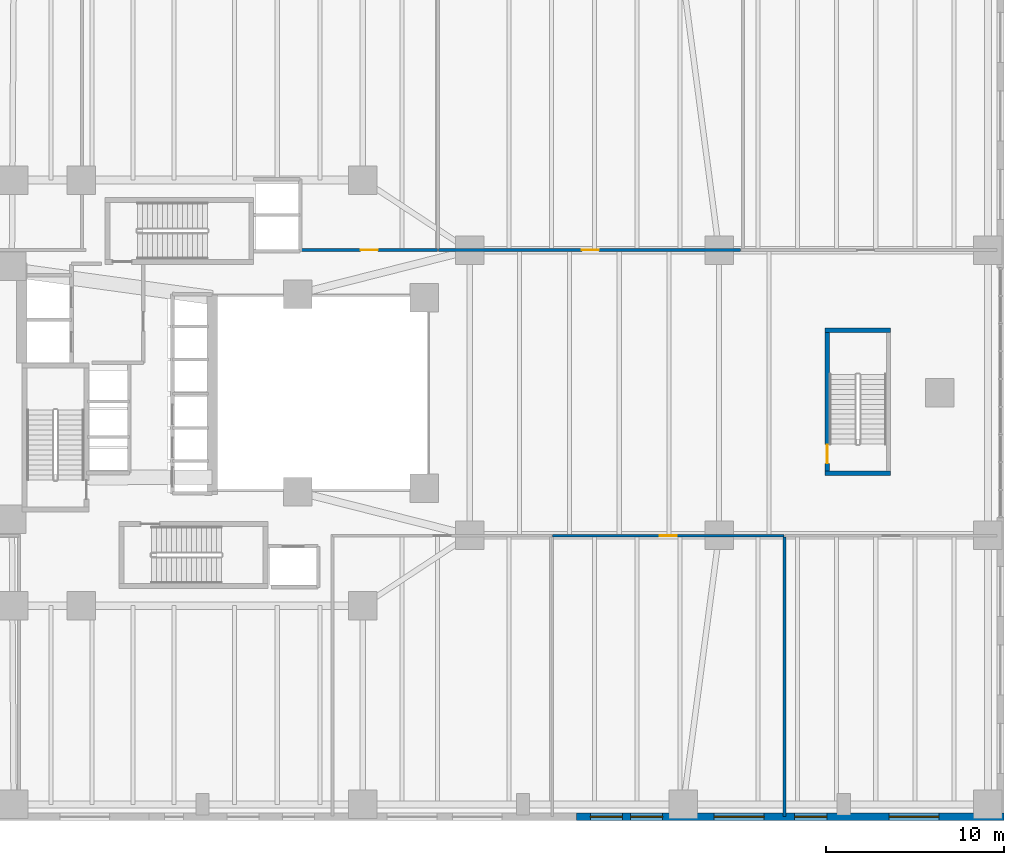
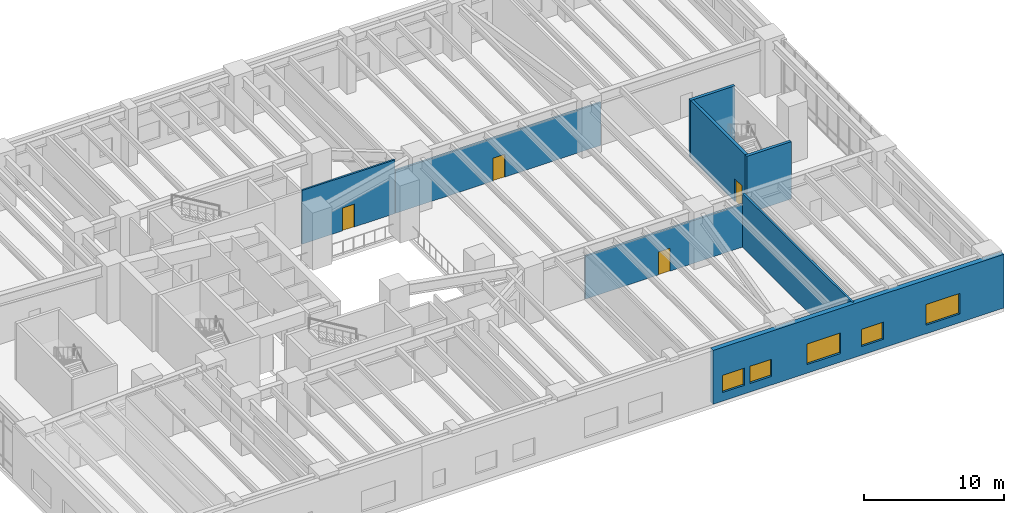
# One storey, part 14 of 18: 8 walls, 5 windows, 4 doors, 9 openings.
"""IFC4 building model written with IfcOpenShell, lengths in metres."""

from ifc_helpers import new_model, si_unit, direction, frame, frame_2d, origin, place, context, subcontext, project, spatial, rectangle, extrude, material, layer, layer_set, type_object, element, fill, save


model = new_model("IFC4")

# Units and contexts
model_context = context("Model", 3, precision=1e-05, world=origin(), true_north=direction((0.0, 1.0)))
body_context = subcontext(model_context, "Body", "Model", "MODEL_VIEW")
ifc_project = project(units=[si_unit("LENGTHUNIT", "METRE"), si_unit("AREAUNIT", "SQUARE_METRE"), si_unit("VOLUMEUNIT", "CUBIC_METRE"), si_unit("PLANEANGLEUNIT", "RADIAN"), si_unit("MASSUNIT", "GRAM", prefix="KILO"), si_unit("THERMODYNAMICTEMPERATUREUNIT", "KELVIN"), si_unit("POWERUNIT", "WATT")], contexts=[model_context])

# Site, building, storey
site_placement = place(None, origin())
site = spatial("IfcSite", under=ifc_project, at=site_placement, CompositionType="ELEMENT")
building_placement = place(site_placement, origin())
building = spatial("IfcBuilding", under=site, at=building_placement, Name="Skarre Station Tower", CompositionType="ELEMENT")
storey_placement = place(building_placement, frame((0.0, 0.0, 11.0)))
storey = spatial("IfcBuildingStorey", under=building, at=storey_placement, Name="L03", CompositionType="ELEMENT", Elevation=11.0)

# Wall, opening, door
ifc_material_1 = material(Name="Acoustic Steel-Stud Gypsum Partition", Category="steel")
ifc_layer_1 = layer(ifc_material_1, 0.14990234375, Name="Acoustic Steel-Stud Gypsum Partition")
ifc_layer_set_1 = layer_set([ifc_layer_1], Name="Acoustic Steel-Stud Gypsum Partition")
wall_type_1 = type_object("IfcWallType", Name="Fire-Rated Corridor Acoustic Partition 150", PredefinedType="PARTITIONING", material=ifc_layer_set_1)
wall_1_placement = place(storey_placement, frame((46.6640625, 15.97998046875, 0.0), z_axis=(0.0, 0.0, 1.0), x_axis=(1.0, 0.0, 0.0)))
wall_1 = element("IfcWall", 1, at=wall_1_placement, inside=storey, type_object=wall_type_1, Name="L03 Interior Partition WL-PT-L03-PDSE2-CW", PredefinedType="PARTITIONING", context=body_context, shape_type="SweptSolid", body=[
    extrude(rectangle(XDim=12.988037109375, YDim=0.14990234375, at=frame_2d((6.494140625, 0.0))), origin(), (0.0, 0.0, 1.0), 3.741943359375),
])
opening_1_placement = place(wall_1_placement, frame((6.013916015625, 0.0, 0.0)))
opening_1 = element("IfcOpeningElement", 2, at=opening_1_placement, cuts=wall_1, Name="Opening DR-FD60", PredefinedType="OPENING", context=body_context, shape_type="SweptSolid", body=[
    extrude(rectangle(XDim=0.9599609375, YDim=2.0, at=frame_2d((0.47998046875, 1.0))), frame((0.0, 0.0849609375, 0.0), z_axis=(0.0, -1.0, 0.0), x_axis=(1.0, 0.0, 0.0)), (0.0, 0.0, 1.0), 0.169921875),
])
ifc_material_2 = material(Name="Nordic White-Oak Veneer Solid-Core Fire Leaf", Category="wood")
door_type_1 = type_object("IfcDoorType", Name="Corridor Suite Entry Fire Door FD60 960x2150", OperationType="SINGLE_SWING_LEFT", PredefinedType="DOOR", material=ifc_material_2)
door_1_placement = place(opening_1_placement, origin())
door_1 = element("IfcDoor", 3, at=door_1_placement, inside=storey, type_object=door_type_1, Name="L03 PDSE2 Entry Door", OperationType="SINGLE_SWING_LEFT", OverallHeight=2.0, OverallWidth=0.9599609375, PredefinedType="DOOR", context=body_context, shape_type="SweptSolid", body=[
    extrude(rectangle(XDim=0.9599609375, YDim=2.0, at=frame_2d((0.47998046875, 1.0))), frame((0.0, 0.02490234375, 0.0), z_axis=(0.0, -1.0, 0.0), x_axis=(1.0, 0.0, 0.0)), (0.0, 0.0, 1.0), 0.050048828125),
])
fill(opening_1, door_1)

wall_2_placement = place(storey_placement, frame((40.18701171875, 32.02001953125, 0.0), z_axis=(0.0, 0.0, 1.0), x_axis=(-1.0, 0.0, 0.0)))
wall_2 = element("IfcWall", 4, at=wall_2_placement, inside=storey, type_object=wall_type_1, Name="L03 Interior Partition WL-PT-L03-PDN2-CW", PredefinedType="PARTITIONING", context=body_context, shape_type="SweptSolid", body=[
    extrude(rectangle(XDim=7.64599609375, YDim=0.14990234375, at=frame_2d((3.822998046875, 0.0))), origin(), (0.0, 0.0, 1.0), 4.68994140625),
])
opening_2_placement = place(wall_2_placement, frame((3.343017578125, 0.0, 0.0)))
opening_2 = element("IfcOpeningElement", 5, at=opening_2_placement, cuts=wall_2, Name="Opening DR-FD60", PredefinedType="OPENING", context=body_context, shape_type="SweptSolid", body=[
    extrude(rectangle(XDim=0.9599609375, YDim=2.0, at=frame_2d((0.47998046875, 1.0))), frame((0.0, 0.0849609375, 0.0), z_axis=(0.0, -1.0, 0.0), x_axis=(1.0, 0.0, 0.0)), (0.0, 0.0, 1.0), 0.169921875),
])
door_2_placement = place(opening_2_placement, origin())
door_2 = element("IfcDoor", 6, at=door_2_placement, inside=storey, type_object=door_type_1, Name="L03 PDN2 Entry Door", OperationType="SINGLE_SWING_LEFT", OverallHeight=2.0, OverallWidth=0.9599609375, PredefinedType="DOOR", context=body_context, shape_type="SweptSolid", body=[
    extrude(rectangle(XDim=0.9599609375, YDim=2.0, at=frame_2d((0.47998046875, 1.0))), frame((0.0, 0.02490234375, 0.0), z_axis=(0.0, -1.0, 0.0), x_axis=(1.0, 0.0, 0.0)), (0.0, 0.0, 1.0), 0.050048828125),
])
fill(opening_2, door_2)

wall_3_placement = place(storey_placement, frame((57.214111328125, 32.02001953125, 0.0), z_axis=(0.0, 0.0, 1.0), x_axis=(-1.0, 0.0, 0.0)))
wall_3 = element("IfcWall", 7, at=wall_3_placement, inside=storey, type_object=wall_type_1, Name="L03 Interior Partition WL-PT-L03-PDN3-CW", PredefinedType="PARTITIONING", context=body_context, shape_type="SweptSolid", body=[
    extrude(rectangle(XDim=16.97509765625, YDim=0.14990234375, at=frame_2d((8.487548828125, 0.0))), origin(), (0.0, 0.0, 1.0), 3.741943359375),
])
opening_3_placement = place(wall_3_placement, frame((7.9560546875, 0.0, 0.0)))
opening_3 = element("IfcOpeningElement", 8, at=opening_3_placement, cuts=wall_3, Name="Opening DR-FD60", PredefinedType="OPENING", context=body_context, shape_type="SweptSolid", body=[
    extrude(rectangle(XDim=0.9599609375, YDim=2.0, at=frame_2d((0.47998046875, 1.0))), frame((0.0, 0.0849609375, 0.0), z_axis=(0.0, -1.0, 0.0), x_axis=(1.0, 0.0, 0.0)), (0.0, 0.0, 1.0), 0.169921875),
])
door_3_placement = place(opening_3_placement, origin())
door_3 = element("IfcDoor", 9, at=door_3_placement, inside=storey, type_object=door_type_1, Name="L03 PDN3 Entry Door", OperationType="SINGLE_SWING_LEFT", OverallHeight=2.0, OverallWidth=0.9599609375, PredefinedType="DOOR", context=body_context, shape_type="SweptSolid", body=[
    extrude(rectangle(XDim=0.9599609375, YDim=2.0, at=frame_2d((0.47998046875, 1.0))), frame((0.0, 0.02490234375, 0.0), z_axis=(0.0, -1.0, 0.0), x_axis=(1.0, 0.0, 0.0)), (0.0, 0.0, 1.0), 0.050048828125),
])
fill(opening_3, door_3)

# Wall, openings, windows
ifc_material_3 = material(Name="Precast concrete C45/55", Category="concrete")
ifc_layer_2 = layer(ifc_material_3, 0.39990234375, Name="Precast concrete C45/55")
ifc_layer_set_2 = layer_set([ifc_layer_2], Name="Precast concrete C45/55")
wall_type_2 = type_object("IfcWallType", Name="Nordic Granite Station Podium Wall 400", PredefinedType="STANDARD", material=ifc_layer_set_2)
wall_4_placement = place(storey_placement, frame((72.0, 0.199951171875, 0.0), z_axis=(0.0, 0.0, 1.0), x_axis=(-1.0, 0.0, 0.0)))
wall_4 = element("IfcWall", 10, at=wall_4_placement, inside=storey, type_object=wall_type_2, Name="L03 South Podium Granite Wall SA", PredefinedType="STANDARD", context=body_context, shape_type="SweptSolid", body=[
    extrude(rectangle(XDim=24.0, YDim=0.39990234375, at=frame_2d((12.0, 0.0))), origin(), (0.0, 0.0, 1.0), 4.68994140625),
])
opening_4_placement = place(wall_4_placement, frame((3.64990234375, 0.0, 0.75)))
opening_4 = element("IfcOpeningElement", 11, at=opening_4_placement, cuts=wall_4, Name="Opening WN-POD", PredefinedType="OPENING", context=body_context, shape_type="SweptSolid", body=[
    extrude(rectangle(XDim=2.800048828125, YDim=1.800048828125, at=frame_2d((1.39990234375, 0.89990234375))), frame((0.0, 0.2099609375, 0.0), z_axis=(0.0, -1.0, 0.0), x_axis=(1.0, 0.0, 0.0)), (0.0, 0.0, 1.0), 0.419921875),
])
opening_5_placement = place(wall_4_placement, frame((9.949951171875, 0.0, 0.75)))
opening_5 = element("IfcOpeningElement", 12, at=opening_5_placement, cuts=wall_4, Name="Opening WN-Z1A", PredefinedType="OPENING", context=body_context, shape_type="SweptSolid", body=[
    extrude(rectangle(XDim=1.800048828125, YDim=1.5, at=frame_2d((0.89990234375, 0.75))), frame((0.0, 0.2099609375, 0.0), z_axis=(0.0, -1.0, 0.0), x_axis=(1.0, 0.0, 0.0)), (0.0, 0.0, 1.0), 0.419921875),
])
opening_6_placement = place(wall_4_placement, frame((13.471923828125, 0.0, 0.75)))
opening_6 = element("IfcOpeningElement", 13, at=opening_6_placement, cuts=wall_4, Name="Opening WN-POD", PredefinedType="OPENING", context=body_context, shape_type="SweptSolid", body=[
    extrude(rectangle(XDim=2.800048828125, YDim=1.800048828125, at=frame_2d((1.39990234375, 0.89990234375))), frame((0.0, 0.2099609375, 0.0), z_axis=(0.0, -1.0, 0.0), x_axis=(1.0, 0.0, 0.0)), (0.0, 0.0, 1.0), 0.419921875),
])
opening_7_placement = place(wall_4_placement, frame((19.16796875, 0.0, 0.75)))
opening_7 = element("IfcOpeningElement", 14, at=opening_7_placement, cuts=wall_4, Name="Opening WN-Z1A", PredefinedType="OPENING", context=body_context, shape_type="SweptSolid", body=[
    extrude(rectangle(XDim=1.800048828125, YDim=1.5, at=frame_2d((0.89990234375, 0.75))), frame((0.0, 0.2099609375, 0.0), z_axis=(0.0, -1.0, 0.0), x_axis=(1.0, 0.0, 0.0)), (0.0, 0.0, 1.0), 0.419921875),
])
opening_8_placement = place(wall_4_placement, frame((21.422119140625, 0.0, 0.75)))
opening_8 = element("IfcOpeningElement", 15, at=opening_8_placement, cuts=wall_4, Name="Opening WN-Z1A", PredefinedType="OPENING", context=body_context, shape_type="SweptSolid", body=[
    extrude(rectangle(XDim=1.800048828125, YDim=1.5, at=frame_2d((0.89990234375, 0.75))), frame((0.0, 0.2099609375, 0.0), z_axis=(0.0, -1.0, 0.0), x_axis=(1.0, 0.0, 0.0)), (0.0, 0.0, 1.0), 0.419921875),
])
ifc_material_4 = material(Name="Low-Iron Triple Glazing with Bronze Anodized Frame", Category="glass")
window_type_1 = type_object("IfcWindowType", Name="Nordic Punched Triple-Glazed Window 1800x1500", PartitioningType="SINGLE_PANEL", PredefinedType="WINDOW", material=ifc_material_4)
window_1_placement = place(opening_5_placement, origin())
window_1 = element("IfcWindow", 16, at=window_1_placement, inside=storey, type_object=window_type_1, Name="L03 Facade Window WL-POD-L03-SA-2", OverallHeight=1.5, OverallWidth=1.800048828125, PartitioningType="SINGLE_PANEL", PredefinedType="WINDOW", context=body_context, shape_type="SweptSolid", body=[
    extrude(rectangle(XDim=1.800048828125, YDim=1.5, at=frame_2d((0.89990234375, 0.75))), frame((0.0, 0.030029296875, 0.0), z_axis=(0.0, -1.0, 0.0), x_axis=(1.0, 0.0, 0.0)), (0.0, 0.0, 1.0), 0.06005859375),
])
fill(opening_5, window_1)
window_2_placement = place(opening_7_placement, origin())
window_2 = element("IfcWindow", 17, at=window_2_placement, inside=storey, type_object=window_type_1, Name="L03 Facade Window WL-POD-L03-SA-4", OverallHeight=1.5, OverallWidth=1.800048828125, PartitioningType="SINGLE_PANEL", PredefinedType="WINDOW", context=body_context, shape_type="SweptSolid", body=[
    extrude(rectangle(XDim=1.800048828125, YDim=1.5, at=frame_2d((0.89990234375, 0.75))), frame((0.0, 0.030029296875, 0.0), z_axis=(0.0, -1.0, 0.0), x_axis=(1.0, 0.0, 0.0)), (0.0, 0.0, 1.0), 0.06005859375),
])
fill(opening_7, window_2)
window_3_placement = place(opening_8_placement, origin())
window_3 = element("IfcWindow", 18, at=window_3_placement, inside=storey, type_object=window_type_1, Name="L03 Facade Window WL-POD-L03-SA-5", OverallHeight=1.5, OverallWidth=1.800048828125, PartitioningType="SINGLE_PANEL", PredefinedType="WINDOW", context=body_context, shape_type="SweptSolid", body=[
    extrude(rectangle(XDim=1.800048828125, YDim=1.5, at=frame_2d((0.89990234375, 0.75))), frame((0.0, 0.030029296875, 0.0), z_axis=(0.0, -1.0, 0.0), x_axis=(1.0, 0.0, 0.0)), (0.0, 0.0, 1.0), 0.06005859375),
])
fill(opening_8, window_3)
window_type_2 = type_object("IfcWindowType", Name="Podium Clerestory Ribbon Window 2800x1800", PartitioningType="SINGLE_PANEL", PredefinedType="WINDOW", material=ifc_material_4)
window_4_placement = place(opening_4_placement, origin())
window_4 = element("IfcWindow", 19, at=window_4_placement, inside=storey, type_object=window_type_2, Name="L03 Facade Window WL-POD-L03-SA-1", OverallHeight=1.800048828125, OverallWidth=2.800048828125, PartitioningType="SINGLE_PANEL", PredefinedType="WINDOW", context=body_context, shape_type="SweptSolid", body=[
    extrude(rectangle(XDim=2.800048828125, YDim=1.800048828125, at=frame_2d((1.39990234375, 0.89990234375))), frame((0.0, 0.030029296875, 0.0), z_axis=(0.0, -1.0, 0.0), x_axis=(1.0, 0.0, 0.0)), (0.0, 0.0, 1.0), 0.06005859375),
])
fill(opening_4, window_4)
window_5_placement = place(opening_6_placement, origin())
window_5 = element("IfcWindow", 20, at=window_5_placement, inside=storey, type_object=window_type_2, Name="L03 Facade Window WL-POD-L03-SA-3", OverallHeight=1.800048828125, OverallWidth=2.800048828125, PartitioningType="SINGLE_PANEL", PredefinedType="WINDOW", context=body_context, shape_type="SweptSolid", body=[
    extrude(rectangle(XDim=2.800048828125, YDim=1.800048828125, at=frame_2d((1.39990234375, 0.89990234375))), frame((0.0, 0.030029296875, 0.0), z_axis=(0.0, -1.0, 0.0), x_axis=(1.0, 0.0, 0.0)), (0.0, 0.0, 1.0), 0.06005859375),
])
fill(opening_6, window_5)

# Walls
ifc_material_5 = material(Name="Concrete C50/60", Category="concrete")
ifc_layer_3 = layer(ifc_material_5, 0.239990234375, Name="Concrete C50/60")
ifc_layer_set_3 = layer_set([ifc_layer_3], Name="Concrete C50/60")
wall_type_3 = type_object("IfcWallType", Name="RC Core Shear Wall 240", PredefinedType="SHEAR", material=ifc_layer_set_3)
for number, where, z_axis, x_axis, name in (
    (21, (61.9599609375, 19.47998046875, 0.0), (0.0, 0.0, 1.0), (1.0, 0.0, 0.0), "L03 Podium Stair ST-5 South Shear Wall"),
    (22, (65.639892578125, 27.52001953125, 0.0), (0.0, 0.0, 1.0), (-1.0, 0.0, 0.0), "L03 Podium Stair ST-5 North Shear Wall"),
):
    element("IfcWall", number, at=place(storey_placement, frame(where, z_axis=z_axis, x_axis=x_axis)), inside=storey, type_object=wall_type_3, Name=name, PredefinedType="SHEAR", context=body_context, shape_type="SweptSolid", body=[
        extrude(rectangle(XDim=3.679931640625, YDim=0.239990234375, at=frame_2d((1.83984375, 0.0))), origin(), (0.0, 0.0, 1.0), 5.0),
    ])

# Wall, opening, door
wall_5_placement = place(storey_placement, frame((62.080078125, 27.39990234375, 0.0), z_axis=(0.0, 0.0, 1.0), x_axis=(0.0, -1.0, 0.0)))
wall_5 = element("IfcWall", 23, at=wall_5_placement, inside=storey, type_object=wall_type_3, Name="L03 Podium Stair ST-5 West Shear Wall", PredefinedType="SHEAR", context=body_context, shape_type="SweptSolid", body=[
    extrude(rectangle(XDim=7.7998046875, YDim=0.239990234375, at=frame_2d((3.89990234375, 0.0))), origin(), (0.0, 0.0, 1.0), 5.0),
])
opening_9_placement = place(wall_5_placement, frame((6.31005859375, 0.0, 0.0)))
opening_9 = element("IfcOpeningElement", 24, at=opening_9_placement, cuts=wall_5, Name="Opening DR-FD90", PredefinedType="OPENING", context=body_context, shape_type="SweptSolid", body=[
    extrude(rectangle(XDim=1.050048828125, YDim=2.0, at=frame_2d((0.52490234375, 1.0))), frame((0.0, 0.1298828125, 0.0), z_axis=(0.0, -1.0, 0.0), x_axis=(1.0, 0.0, 0.0)), (0.0, 0.0, 1.0), 0.260009765625),
])
ifc_material_6 = material(Name="Fire-Rated Insulated Steel Frame & Timber Core Leaf", Category="steel")
door_type_2 = type_object("IfcDoorType", Name="Stair & FSAE Lobby Fire Door FD90 1050x2150", OperationType="SINGLE_SWING_RIGHT", PredefinedType="DOOR", material=ifc_material_6)
door_4_placement = place(opening_9_placement, origin())
door_4 = element("IfcDoor", 25, at=door_4_placement, inside=storey, type_object=door_type_2, Name="L03 Podium Stair ST-5 Exit Door", OperationType="SINGLE_SWING_LEFT", OverallHeight=2.0, OverallWidth=1.050048828125, PredefinedType="DOOR", context=body_context, shape_type="SweptSolid", body=[
    extrude(rectangle(XDim=1.050048828125, YDim=2.0, at=frame_2d((0.52490234375, 1.0))), frame((0.0, 0.02490234375, 0.0), z_axis=(0.0, -1.0, 0.0), x_axis=(1.0, 0.0, 0.0)), (0.0, 0.0, 1.0), 0.050048828125),
])
fill(opening_9, door_4)

# Wall
ifc_layer_4 = layer(ifc_material_1, 0.1650390625, Name="Acoustic Steel-Stud Gypsum Partition")
ifc_layer_set_4 = layer_set([ifc_layer_4], Name="Acoustic Steel-Stud Gypsum Partition")
wall_type_4 = type_object("IfcWallType", Name="Suite Demising Acoustic Partition 165", PredefinedType="PARTITIONING", material=ifc_layer_set_4)
wall_6_placement = place(storey_placement, frame((59.677978515625, 0.22998046875, 0.0), z_axis=(0.0, 0.0, 1.0), x_axis=(0.0, 1.0, 0.0)))
element("IfcWall", 26, at=wall_6_placement, inside=storey, type_object=wall_type_4, Name="L03 Interior Partition WL-PT-L03-PDSE-P2", PredefinedType="PARTITIONING", context=body_context, shape_type="SweptSolid", body=[
    extrude(rectangle(XDim=15.679931640625, YDim=0.1650390625, at=frame_2d((7.83984375, 0.0))), origin(), (0.0, 0.0, 1.0), 4.68994140625),
])

save(model, "model.ifc")
